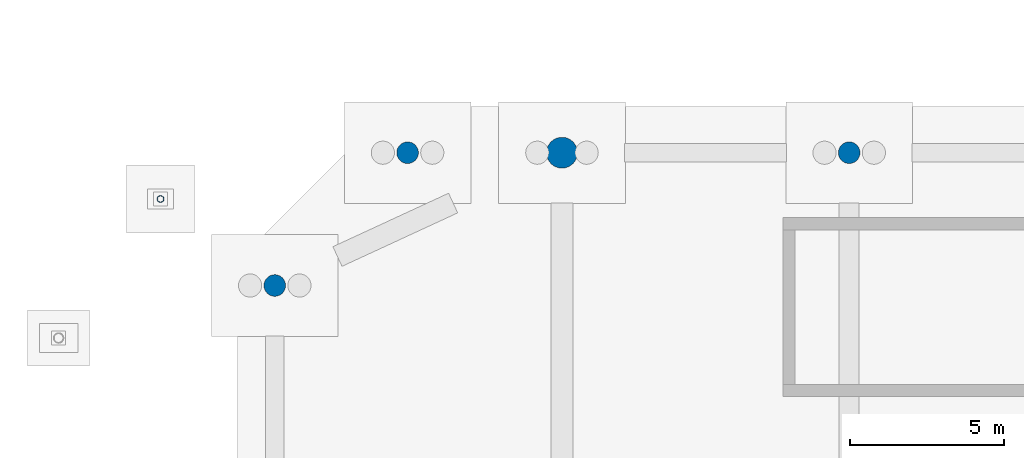
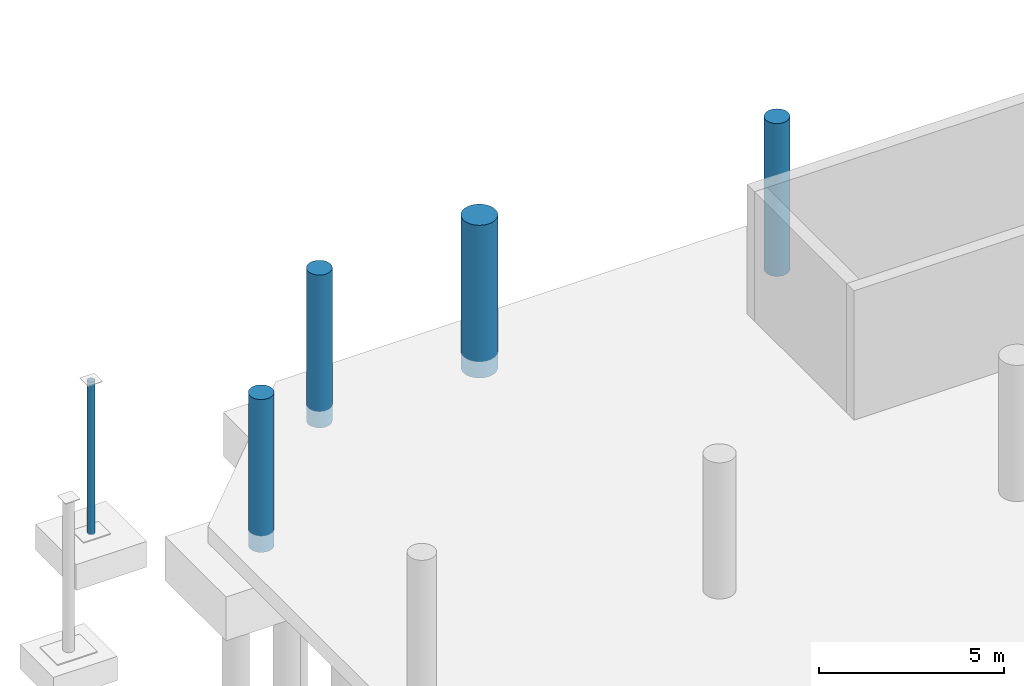
# One storey, part 20 of 55: 5 columns.
"""IFC4 building model written with IfcOpenShell, lengths in metres."""

from ifc_helpers import new_model, si_unit, direction, frame, origin, origin_2d, place, context, subcontext, project, spatial, circle, hollow_circle, extrude, material, material_profile, profile_set, type_object, element, save


model = new_model("IFC4")

# Units and contexts
model_context = context("Model", 3, precision=1e-05, world=origin(), true_north=direction((0.0, 1.0)))
body_context = subcontext(model_context, "Body", "Model", "MODEL_VIEW")
ifc_project = project(units=[si_unit("LENGTHUNIT", "METRE"), si_unit("AREAUNIT", "SQUARE_METRE"), si_unit("VOLUMEUNIT", "CUBIC_METRE"), si_unit("PLANEANGLEUNIT", "RADIAN"), si_unit("MASSUNIT", "GRAM", prefix="KILO")], contexts=[model_context])

# Site, building, storey
site_placement = place(None, origin())
site = spatial("IfcSite", under=ifc_project, at=site_placement, CompositionType="ELEMENT")
building_placement = place(site_placement, origin())
building = spatial("IfcBuilding", under=site, at=building_placement, Name="Sohan Crest Arena", CompositionType="ELEMENT")
storey_placement = place(building_placement, frame((0.0, 0.0, -4.5)))
storey = spatial("IfcBuildingStorey", under=building, at=storey_placement, Name="B1", CompositionType="ELEMENT", Elevation=-4.5)

# Columns
ifc_material_1 = material(Name="Concrete C40/50", Category="concrete")
ifc_material_profile_1 = material_profile(ifc_material_1, circle(Radius=0.35009765625, at=origin_2d()), Name="RC D700")
ifc_profile_set_1 = profile_set([ifc_material_profile_1], Name="Concrete C40/50")
column_type_1 = type_object("IfcColumnType", Name="STR-COL-C13", PredefinedType="COLUMN", material=ifc_profile_set_1)
for number, where, z_axis, x_axis, name in (
    (1, (33.800048828125, 104.5, -0.550048828125), (0.0, 0.0, 1.0), (1.0, 0.0, 0.0), "Structural column COL-V3C-35-B1"),
    (2, (15.199951171875, 100.199951171875, -0.550048828125), (0.0, 0.0, 1.0), (1.0, 0.0, 0.0), "Structural column COL-V3CH-3-B1"),
    (3, (19.5, 104.5, -0.550048828125), (0.0, 0.0, 1.0), (1.0, 0.0, 0.0), "Structural column COL-V3CH-4-B1"),
):
    element("IfcColumn", number, at=place(storey_placement, frame(where, z_axis=z_axis, x_axis=x_axis)), inside=storey, type_object=column_type_1, Name=name, PredefinedType="COLUMN", context=body_context, shape_type="SweptSolid", body=[
        extrude(circle(Radius=0.35009765625, at=origin_2d()), origin(), (0.0, 0.0, 1.0), 5.050048828125),
    ])
ifc_material_profile_2 = material_profile(ifc_material_1, circle(Radius=0.5, at=origin_2d()), Name="RC D1000")
ifc_profile_set_2 = profile_set([ifc_material_profile_2], Name="Concrete C40/50")
column_type_2 = type_object("IfcColumnType", Name="STR-COL-C16", PredefinedType="COLUMN", material=ifc_profile_set_2)
column_1_placement = place(storey_placement, frame((24.5, 104.5, -0.550048828125), z_axis=(0.0, 0.0, 1.0), x_axis=(1.0, 0.0, 0.0)))
element("IfcColumn", 4, at=column_1_placement, inside=storey, type_object=column_type_2, Name="Structural column COL-V3C-25-B1", PredefinedType="COLUMN", context=body_context, shape_type="SweptSolid", body=[
    extrude(circle(Radius=0.5, at=origin_2d()), origin(), (0.0, 0.0, 1.0), 5.050048828125),
])
ifc_material_2 = material(Name="Steel S355", Category="steel")
ifc_material_profile_3 = material_profile(ifc_material_2, hollow_circle(Radius=0.109619140625, WallThickness=0.010009765625, at=origin_2d()), Name="CHS 219.1x10")
ifc_profile_set_3 = profile_set([ifc_material_profile_3], Name="Steel S355")
column_type_3 = type_object("IfcColumnType", Name="STR-COL-C24", PredefinedType="COLUMN", material=ifc_profile_set_3)
column_2_placement = place(storey_placement, frame((11.5, 103.0, -0.550048828125), z_axis=(0.0, 0.0, 1.0), x_axis=(1.0, 0.0, 0.0)))
element("IfcColumn", 5, at=column_2_placement, inside=storey, type_object=column_type_3, Name="Structural column COL-V3P-06-B1", PredefinedType="COLUMN", context=body_context, shape_type="SweptSolid", body=[
    extrude(hollow_circle(Radius=0.109619140625, WallThickness=0.010009765625, at=origin_2d()), origin(), (0.0, 0.0, 1.0), 5.050048828125),
])

save(model, "model.ifc")
